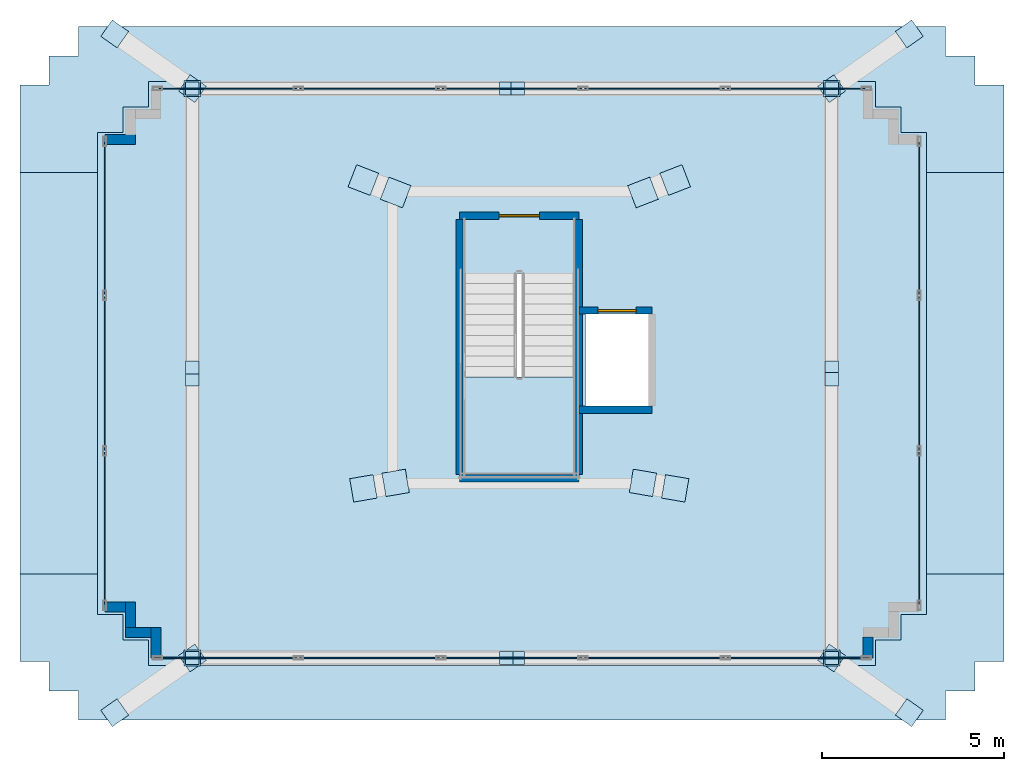
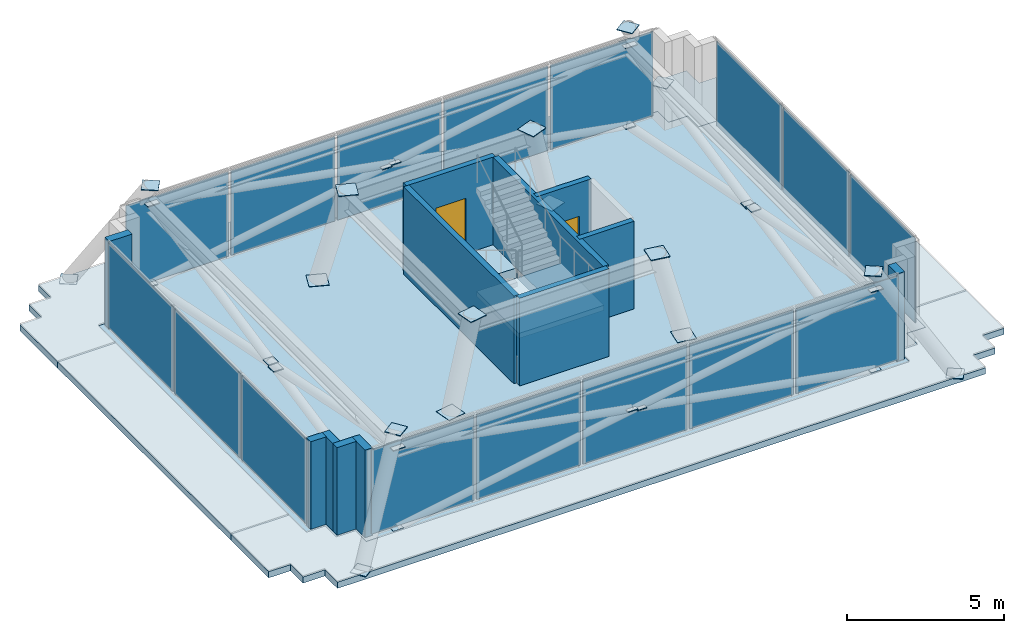
# One storey, part 5 of 8: 48 plates, 12 walls, 6 slabs, 2 doors, 2 openings, 5 elements without a shape of their own.
"""IFC4 building model written with IfcOpenShell, lengths in metres."""

from ifc_helpers import new_model, si_unit, direction, frame, frame_2d, origin, origin_2d, place, context, subcontext, project, spatial, polyline, rectangle, outline, extrude, material, layer, layer_set, type_object, element, fill, aggregate, save


model = new_model("IFC4")

# Units and contexts
model_context = context("Model", 3, precision=1e-05, world=origin(), true_north=direction((0.0, 1.0)))
body_context = subcontext(model_context, "Body", "Model", "MODEL_VIEW")
ifc_project = project(units=[si_unit("LENGTHUNIT", "METRE"), si_unit("AREAUNIT", "SQUARE_METRE"), si_unit("VOLUMEUNIT", "CUBIC_METRE"), si_unit("PLANEANGLEUNIT", "RADIAN"), si_unit("MASSUNIT", "GRAM", prefix="KILO")], contexts=[model_context])

# Site, building, storey
site_placement = place(None, origin())
site = spatial("IfcSite", under=ifc_project, at=site_placement, CompositionType="ELEMENT")
building_placement = place(site_placement, origin())
building = spatial("IfcBuilding", under=site, at=building_placement, Name="Qobustan Lattice House", CompositionType="ELEMENT")
storey_placement = place(building_placement, frame((0.0, 0.0, 289.199951171875)))
storey = spatial("IfcBuildingStorey", under=building, at=storey_placement, Name="L81", CompositionType="ELEMENT", Elevation=289.199951171875)

# Curtain wall, plates
ifc_material_1 = material(Name="Anodised aluminium and low-E glazing", Category="aluminium")
ifc_layer_1 = layer(ifc_material_1, 0.219970703125)
ifc_layer_set_1 = layer_set([ifc_layer_1], Name="Anodised aluminium and low-E glazing")
curtain_wall_type = type_object("IfcCurtainWallType", Name="CW-CRN-01", PredefinedType="USERDEFINED", material=ifc_layer_set_1)
curtain_wall_1_placement = place(storey_placement, origin())
curtain_wall_1 = element("IfcCurtainWall", 1, at=curtain_wall_1_placement, inside=storey, type_object=curtain_wall_type, Name="L81 glass-point crown faceted curtain wall 5", ObjectType="CURTAIN WALL", PredefinedType="USERDEFINED")
ifc_material_2 = material(Name="Warm frit stone-toned laminated glass", Category="masonry")
ifc_layer_2 = layer(ifc_material_2, 0.035888671875)
ifc_layer_set_2 = layer_set([ifc_layer_2], Name="Warm frit stone-toned laminated glass")
plate_type_1 = type_object("IfcPlateType", Name="CWP-CROWN-36", PredefinedType="CURTAIN_PANEL", material=ifc_layer_set_2)
plate_1_placement = place(storey_placement, frame((-11.366455078125, -5.849853515625, 0.06494140625), z_axis=(0.0, 0.0, 1.0), x_axis=(0.0, 1.0, 0.0)))
plate_1 = element("IfcPlate", 2, at=plate_1_placement, type_object=plate_type_1, Name="CW-CR panel 1.1", PredefinedType="CURTAIN_PANEL", context=body_context, shape_type="SweptSolid", body=[
    extrude(rectangle(XDim=4.137451171875, YDim=0.031982421875, at=origin_2d()), origin(), (0.0, 0.0, 1.0), 3.27001953125),
])
plate_2_placement = place(storey_placement, frame((-11.366455078125, -1.60009765625, 0.06494140625), z_axis=(0.0, 0.0, 1.0), x_axis=(0.0, 1.0, 0.0)))
plate_2 = element("IfcPlate", 3, at=plate_2_placement, type_object=plate_type_1, Name="CW-CR panel 2.1", PredefinedType="CURTAIN_PANEL", context=body_context, shape_type="SweptSolid", body=[
    extrude(rectangle(XDim=4.182373046875, YDim=0.031982421875, at=origin_2d()), origin(), (0.0, 0.0, 1.0), 3.27001953125),
])
plate_3_placement = place(storey_placement, frame((-11.366455078125, 2.64990234375, 0.06494140625), z_axis=(0.0, 0.0, 1.0), x_axis=(0.0, 1.0, 0.0)))
plate_3 = element("IfcPlate", 4, at=plate_3_placement, type_object=plate_type_1, Name="CW-CR panel 3.1", PredefinedType="CURTAIN_PANEL", context=body_context, shape_type="SweptSolid", body=[
    extrude(rectangle(XDim=4.137451171875, YDim=0.031982421875, at=origin_2d()), origin(), (0.0, 0.0, 1.0), 3.27001953125),
])
aggregate(curtain_wall_1, [plate_1, plate_2, plate_3])

curtain_wall_2_placement = place(storey_placement, origin())
curtain_wall_2 = element("IfcCurtainWall", 5, at=curtain_wall_2_placement, inside=storey, type_object=curtain_wall_type, Name="L81 glass-point crown faceted curtain wall 10", ObjectType="CURTAIN WALL", PredefinedType="USERDEFINED")
plate_4_placement = place(storey_placement, frame((-7.99072265625, 6.20849609375, 0.06494140625), z_axis=(0.0, 0.0, 1.0), x_axis=(1.0, 0.0, 0.0)))
plate_4 = element("IfcPlate", 6, at=plate_4_placement, type_object=plate_type_1, Name="CW-CR panel 1.1", PredefinedType="CURTAIN_PANEL", context=body_context, shape_type="SweptSolid", body=[
    extrude(rectangle(XDim=3.771484375, YDim=0.031982421875, at=origin_2d()), origin(), (0.0, 0.0, 1.0), 3.27001953125),
])
plate_5_placement = place(storey_placement, frame((-4.106689453125, 6.20849609375, 0.06494140625), z_axis=(0.0, 0.0, 1.0), x_axis=(1.0, 0.0, 0.0)))
plate_5 = element("IfcPlate", 7, at=plate_5_placement, type_object=plate_type_1, Name="CW-CR panel 2.1", PredefinedType="CURTAIN_PANEL", context=body_context, shape_type="SweptSolid", body=[
    extrude(rectangle(XDim=3.816650390625, YDim=0.031982421875, at=origin_2d()), origin(), (0.0, 0.0, 1.0), 3.27001953125),
])
plate_6_placement = place(storey_placement, frame((-0.199951171875, 6.20849609375, 0.06494140625), z_axis=(0.0, 0.0, 1.0), x_axis=(1.0, 0.0, 0.0)))
plate_6 = element("IfcPlate", 8, at=plate_6_placement, type_object=plate_type_1, Name="CW-CR panel 3.1", PredefinedType="CURTAIN_PANEL", context=body_context, shape_type="SweptSolid", body=[
    extrude(rectangle(XDim=3.816650390625, YDim=0.031982421875, at=origin_2d()), origin(), (0.0, 0.0, 1.0), 3.27001953125),
])
plate_7_placement = place(storey_placement, frame((3.70654296875, 6.20849609375, 0.06494140625), z_axis=(0.0, 0.0, 1.0), x_axis=(1.0, 0.0, 0.0)))
plate_7 = element("IfcPlate", 9, at=plate_7_placement, type_object=plate_type_1, Name="CW-CR panel 4.1", PredefinedType="CURTAIN_PANEL", context=body_context, shape_type="SweptSolid", body=[
    extrude(rectangle(XDim=3.816650390625, YDim=0.031982421875, at=origin_2d()), origin(), (0.0, 0.0, 1.0), 3.27001953125),
])
plate_8_placement = place(storey_placement, frame((7.5908203125, 6.20849609375, 0.06494140625), z_axis=(0.0, 0.0, 1.0), x_axis=(1.0, 0.0, 0.0)))
plate_8 = element("IfcPlate", 10, at=plate_8_placement, type_object=plate_type_1, Name="CW-CR panel 5.1", PredefinedType="CURTAIN_PANEL", context=body_context, shape_type="SweptSolid", body=[
    extrude(rectangle(XDim=3.771484375, YDim=0.031982421875, at=origin_2d()), origin(), (0.0, 0.0, 1.0), 3.27001953125),
])
aggregate(curtain_wall_2, [plate_4, plate_5, plate_6, plate_7, plate_8])

curtain_wall_3_placement = place(storey_placement, origin())
curtain_wall_3 = element("IfcCurtainWall", 11, at=curtain_wall_3_placement, inside=storey, type_object=curtain_wall_type, Name="L81 glass-point crown faceted curtain wall 15", ObjectType="CURTAIN WALL", PredefinedType="USERDEFINED")
plate_9_placement = place(storey_placement, frame((10.966552734375, 2.64990234375, 0.06494140625), z_axis=(0.0, 0.0, 1.0), x_axis=(0.0, -1.0, 0.0)))
plate_9 = element("IfcPlate", 12, at=plate_9_placement, type_object=plate_type_1, Name="CW-CR panel 1.1", PredefinedType="CURTAIN_PANEL", context=body_context, shape_type="SweptSolid", body=[
    extrude(rectangle(XDim=4.137451171875, YDim=0.031982421875, at=origin_2d()), origin(), (0.0, 0.0, 1.0), 3.27001953125),
])
plate_10_placement = place(storey_placement, frame((10.966552734375, -1.60009765625, 0.06494140625), z_axis=(0.0, 0.0, 1.0), x_axis=(0.0, -1.0, 0.0)))
plate_10 = element("IfcPlate", 13, at=plate_10_placement, type_object=plate_type_1, Name="CW-CR panel 2.1", PredefinedType="CURTAIN_PANEL", context=body_context, shape_type="SweptSolid", body=[
    extrude(rectangle(XDim=4.182373046875, YDim=0.031982421875, at=origin_2d()), origin(), (0.0, 0.0, 1.0), 3.27001953125),
])
plate_11_placement = place(storey_placement, frame((10.966552734375, -5.849853515625, 0.06494140625), z_axis=(0.0, 0.0, 1.0), x_axis=(0.0, -1.0, 0.0)))
plate_11 = element("IfcPlate", 14, at=plate_11_placement, type_object=plate_type_1, Name="CW-CR panel 3.1", PredefinedType="CURTAIN_PANEL", context=body_context, shape_type="SweptSolid", body=[
    extrude(rectangle(XDim=4.137451171875, YDim=0.031982421875, at=origin_2d()), origin(), (0.0, 0.0, 1.0), 3.27001953125),
])
aggregate(curtain_wall_3, [plate_9, plate_10, plate_11])

curtain_wall_4_placement = place(storey_placement, origin())
curtain_wall_4 = element("IfcCurtainWall", 15, at=curtain_wall_4_placement, inside=storey, type_object=curtain_wall_type, Name="L81 glass-point crown faceted curtain wall 20", ObjectType="CURTAIN WALL", PredefinedType="USERDEFINED")
plate_12_placement = place(storey_placement, frame((7.5908203125, -9.408447265625, 0.06494140625), z_axis=(0.0, 0.0, 1.0), x_axis=(-1.0, 0.0, 0.0)))
plate_12 = element("IfcPlate", 16, at=plate_12_placement, type_object=plate_type_1, Name="CW-CR panel 1.1", PredefinedType="CURTAIN_PANEL", context=body_context, shape_type="SweptSolid", body=[
    extrude(rectangle(XDim=3.771484375, YDim=0.031982421875, at=origin_2d()), origin(), (0.0, 0.0, 1.0), 3.27001953125),
])
plate_13_placement = place(storey_placement, frame((3.70654296875, -9.408447265625, 0.06494140625), z_axis=(0.0, 0.0, 1.0), x_axis=(-1.0, 0.0, 0.0)))
plate_13 = element("IfcPlate", 17, at=plate_13_placement, type_object=plate_type_1, Name="CW-CR panel 2.1", PredefinedType="CURTAIN_PANEL", context=body_context, shape_type="SweptSolid", body=[
    extrude(rectangle(XDim=3.816650390625, YDim=0.031982421875, at=origin_2d()), origin(), (0.0, 0.0, 1.0), 3.27001953125),
])
plate_14_placement = place(storey_placement, frame((-0.199951171875, -9.408447265625, 0.06494140625), z_axis=(0.0, 0.0, 1.0), x_axis=(-1.0, 0.0, 0.0)))
plate_14 = element("IfcPlate", 18, at=plate_14_placement, type_object=plate_type_1, Name="CW-CR panel 3.1", PredefinedType="CURTAIN_PANEL", context=body_context, shape_type="SweptSolid", body=[
    extrude(rectangle(XDim=3.816650390625, YDim=0.031982421875, at=origin_2d()), origin(), (0.0, 0.0, 1.0), 3.27001953125),
])
plate_15_placement = place(storey_placement, frame((-4.106689453125, -9.408447265625, 0.06494140625), z_axis=(0.0, 0.0, 1.0), x_axis=(-1.0, 0.0, 0.0)))
plate_15 = element("IfcPlate", 19, at=plate_15_placement, type_object=plate_type_1, Name="CW-CR panel 4.1", PredefinedType="CURTAIN_PANEL", context=body_context, shape_type="SweptSolid", body=[
    extrude(rectangle(XDim=3.816650390625, YDim=0.031982421875, at=origin_2d()), origin(), (0.0, 0.0, 1.0), 3.27001953125),
])
plate_16_placement = place(storey_placement, frame((-7.99072265625, -9.408447265625, 0.06494140625), z_axis=(0.0, 0.0, 1.0), x_axis=(-1.0, 0.0, 0.0)))
plate_16 = element("IfcPlate", 20, at=plate_16_placement, type_object=plate_type_1, Name="CW-CR panel 5.1", PredefinedType="CURTAIN_PANEL", context=body_context, shape_type="SweptSolid", body=[
    extrude(rectangle(XDim=3.771484375, YDim=0.031982421875, at=origin_2d()), origin(), (0.0, 0.0, 1.0), 3.27001953125),
])
aggregate(curtain_wall_4, [plate_12, plate_13, plate_14, plate_15, plate_16])

# Plates
ifc_material_3 = material(Name="Steel S355", Category="steel")
ifc_layer_3 = layer(ifc_material_3, 0.030029296875)
ifc_layer_set_3 = layer_set([ifc_layer_3], Name="Steel S355")
plate_type_2 = type_object("IfcPlateType", Name="PLT-CAP-25", PredefinedType="SHEET", material=ifc_layer_set_3)
for number, where, z_axis, x_axis, name in (
    (21, (-4.275390625, -4.755859375, -0.01953125), (0.0, 0.0, 1.0), (0.985606262685, 0.16905707603, 0.0), "L81 crown spire leg SL1 end cap plate 1"),
    (22, (-3.391357421875, -4.604248046875, 3.3896484375), (0.0, 0.0, 1.0), (0.985606262685, 0.16905707603, 0.0), "L81 crown spire leg SL1 end cap plate 2"),
    (23, (4.275390625, -4.755859375, -0.01953125), (0.0, 0.0, 1.0), (-0.985606262685, 0.16905707603, 0.0), "L81 crown spire leg SL2 end cap plate 1"),
    (24, (3.391357421875, -4.604248046875, 3.3896484375), (0.0, 0.0, 1.0), (-0.985606262685, 0.16905707603, 0.0), "L81 crown spire leg SL2 end cap plate 2"),
    (25, (4.275390625, 3.700439453125, -0.01953125), (0.0, 0.0, 1.0), (-0.933003790768, -0.359866539724, 0.0), "L81 crown spire leg SL3 end cap plate 1"),
    (26, (3.391357421875, 3.359619140625, 3.3896484375), (0.0, 0.0, 1.0), (-0.933003790768, -0.359866539724, 0.0), "L81 crown spire leg SL3 end cap plate 2"),
    (27, (-4.275390625, 3.700439453125, -0.01953125), (0.0, 0.0, 1.0), (0.933003790768, -0.359866539724, 0.0), "L81 crown spire leg SL4 end cap plate 1"),
    (28, (-3.391357421875, 3.359619140625, 3.3896484375), (0.0, 0.0, 1.0), (0.933003790768, -0.359866539724, 0.0), "L81 crown spire leg SL4 end cap plate 2"),
):
    element("IfcPlate", number, at=place(storey_placement, frame(where, z_axis=z_axis, x_axis=x_axis)), inside=storey, type_object=plate_type_2, Name=name, PredefinedType="SHEET", context=body_context, shape_type="SweptSolid", body=[
        extrude(rectangle(XDim=0.64990234375, YDim=0.64990234375, at=origin_2d()), origin(), (0.0, 0.0, 1.0), 0.030029296875),
    ])
for number, where, z_axis, x_axis, name in (
    (29, (-11.095703125, -10.908203125, -0.01904296875), (0.0, 0.0, 1.0), (0.817587325581, 0.575804624026, 0.0), "L81 crown corner raking strut 1 end cap plate 1"),
    (30, (-8.964111328125, -9.406982421875, 3.7890625), (0.0, 0.0, 1.0), (0.817587325581, 0.575804624026, 0.0), "L81 crown corner raking strut 1 end cap plate 2"),
    (31, (10.69580078125, -10.908203125, -0.01904296875), (0.0, 0.0, 1.0), (-0.817587325581, 0.575804624026, 0.0), "L81 crown corner raking strut 2 end cap plate 1"),
    (32, (8.564208984375, -9.406982421875, 3.7890625), (0.0, 0.0, 1.0), (-0.817587325581, 0.575804624026, 0.0), "L81 crown corner raking strut 2 end cap plate 2"),
    (33, (10.69580078125, 7.7080078125, -0.01904296875), (0.0, 0.0, 1.0), (-0.817587325581, -0.575804624026, 0.0), "L81 crown corner raking strut 3 end cap plate 1"),
    (34, (8.564208984375, 6.206787109375, 3.7890625), (0.0, 0.0, 1.0), (-0.817587325581, -0.575804624026, 0.0), "L81 crown corner raking strut 3 end cap plate 2"),
    (35, (-11.095703125, 7.7080078125, -0.01904296875), (0.0, 0.0, 1.0), (0.817587325581, -0.575804624026, 0.0), "L81 crown corner raking strut 4 end cap plate 1"),
    (36, (-8.964111328125, 6.206787109375, 3.7890625), (0.0, 0.0, 1.0), (0.817587325581, -0.575804624026, 0.0), "L81 crown corner raking strut 4 end cap plate 2"),
):
    element("IfcPlate", number, at=place(storey_placement, frame(where, z_axis=z_axis, x_axis=x_axis)), inside=storey, type_object=plate_type_2, Name=name, PredefinedType="SHEET", context=body_context, shape_type="SweptSolid", body=[
        extrude(rectangle(XDim=0.548095703125, YDim=0.548095703125, at=origin_2d()), origin(), (0.0, 0.0, 1.0), 0.030029296875),
    ])
for number, where, z_axis, x_axis, name in (
    (37, (-8.971435546875, -9.408447265625, 3.1650390625), (0.0, 0.0, 1.0), (1.0, 0.0, 0.0), "L81 crown ring chord 1 end cap plate 1"),
    (38, (8.571533203125, -9.408447265625, 3.1650390625), (0.0, 0.0, 1.0), (1.0, 0.0, 0.0), "L81 crown ring chord 1 end cap plate 2"),
):
    element("IfcPlate", number, at=place(storey_placement, frame(where, z_axis=z_axis, x_axis=x_axis)), inside=storey, type_object=plate_type_2, Name=name, PredefinedType="SHEET", context=body_context, shape_type="SweptSolid", body=[
        extrude(rectangle(XDim=0.4462890625, YDim=0.4462890625, at=origin_2d()), origin(), (0.0, 0.0, 1.0), 0.030029296875),
    ])
for number, where, z_axis, x_axis, name in (
    (39, (-8.971435546875, -9.408447265625, -0.0009765625), (0.0, 0.0, 1.0), (1.0, 0.0, 0.0), "L81 crown diagrid continuous brace 1A end cap plate 1"),
    (40, (8.5712890625, -9.408447265625, -0.0009765625), (0.0, 0.0, 1.0), (-1.0, 0.0, 0.0), "L81 crown diagrid split brace 1B lower end cap plate 1"),
    (41, (-0.03955078125, -9.408447265625, 1.5537109375), (0.0, 0.0, 1.0), (-1.0, 0.0, 0.0), "L81 crown diagrid split brace 1B lower end cap plate 2"),
    (42, (-0.3603515625, -9.408447265625, 1.611328125), (0.0, 0.0, 1.0), (-1.0, 0.0, 0.0), "L81 crown diagrid split brace 1B upper end cap plate 1"),
):
    element("IfcPlate", number, at=place(storey_placement, frame(where, z_axis=z_axis, x_axis=x_axis)), inside=storey, type_object=plate_type_2, Name=name, PredefinedType="SHEET", context=body_context, shape_type="SweptSolid", body=[
        extrude(rectangle(XDim=0.364013671875, YDim=0.364013671875, at=origin_2d()), origin(), (0.0, 0.0, 1.0), 0.030029296875),
    ])
plate_17_placement = place(storey_placement, frame((8.56640625, 6.21337890625, 3.1650390625), z_axis=(0.0, 0.0, 1.0), x_axis=(0.0, 1.0, 0.0)))
element("IfcPlate", 43, at=plate_17_placement, inside=storey, type_object=plate_type_2, Name="L81 crown ring chord 2 end cap plate 2", PredefinedType="SHEET", context=body_context, shape_type="SweptSolid", body=[
    extrude(rectangle(XDim=0.4462890625, YDim=0.4462890625, at=origin_2d()), origin(), (0.0, 0.0, 1.0), 0.030029296875),
])
for number, where, z_axis, x_axis, name in (
    (44, (8.56640625, 6.21337890625, -0.0009765625), (0.0, 0.0, 1.0), (0.0, -1.0, 0.0), "L81 crown diagrid split brace 2B lower end cap plate 1"),
    (45, (8.56640625, -1.440185546875, 1.55029296875), (0.0, 0.0, 1.0), (0.0, -1.0, 0.0), "L81 crown diagrid split brace 2B lower end cap plate 2"),
    (46, (8.56640625, -1.759765625, 1.61474609375), (0.0, 0.0, 1.0), (0.0, -1.0, 0.0), "L81 crown diagrid split brace 2B upper end cap plate 1"),
):
    element("IfcPlate", number, at=place(storey_placement, frame(where, z_axis=z_axis, x_axis=x_axis)), inside=storey, type_object=plate_type_2, Name=name, PredefinedType="SHEET", context=body_context, shape_type="SweptSolid", body=[
        extrude(rectangle(XDim=0.364013671875, YDim=0.364013671875, at=origin_2d()), origin(), (0.0, 0.0, 1.0), 0.030029296875),
    ])
plate_18_placement = place(storey_placement, frame((-8.971435546875, 6.20849609375, 3.1650390625), z_axis=(0.0, 0.0, 1.0), x_axis=(-1.0, 0.0, 0.0)))
element("IfcPlate", 47, at=plate_18_placement, inside=storey, type_object=plate_type_2, Name="L81 crown ring chord 3 end cap plate 2", PredefinedType="SHEET", context=body_context, shape_type="SweptSolid", body=[
    extrude(rectangle(XDim=0.4462890625, YDim=0.4462890625, at=origin_2d()), origin(), (0.0, 0.0, 1.0), 0.030029296875),
])
for number, where, z_axis, x_axis, name in (
    (48, (-8.971435546875, 6.20849609375, -0.0009765625), (0.0, 0.0, 1.0), (1.0, 0.0, 0.0), "L81 crown diagrid split brace 3B lower end cap plate 1"),
    (49, (-0.3603515625, 6.20849609375, 1.5537109375), (0.0, 0.0, 1.0), (1.0, 0.0, 0.0), "L81 crown diagrid split brace 3B lower end cap plate 2"),
    (50, (-0.03955078125, 6.20849609375, 1.611328125), (0.0, 0.0, 1.0), (1.0, 0.0, 0.0), "L81 crown diagrid split brace 3B upper end cap plate 1"),
    (51, (-8.966552734375, -1.759765625, 1.55029296875), (0.0, 0.0, 1.0), (0.0, 1.0, 0.0), "L81 crown diagrid split brace 4B lower end cap plate 2"),
    (52, (-8.966552734375, -1.440185546875, 1.61474609375), (0.0, 0.0, 1.0), (0.0, 1.0, 0.0), "L81 crown diagrid split brace 4B upper end cap plate 1"),
):
    element("IfcPlate", number, at=place(storey_placement, frame(where, z_axis=z_axis, x_axis=x_axis)), inside=storey, type_object=plate_type_2, Name=name, PredefinedType="SHEET", context=body_context, shape_type="SweptSolid", body=[
        extrude(rectangle(XDim=0.364013671875, YDim=0.364013671875, at=origin_2d()), origin(), (0.0, 0.0, 1.0), 0.030029296875),
    ])

# Stair, slab
ifc_material_4 = material(Name="Concrete C40/50", Category="concrete")
stair_type = type_object("IfcStairType", Name="STR-CORE-DOGLEG", PredefinedType="HALF_TURN_STAIR", material=ifc_material_4)
stair_placement = place(storey_placement, origin())
stair = element("IfcStair", 53, at=stair_placement, inside=storey, type_object=stair_type, Name="L81 Crown access stair ST-C1", PredefinedType="HALF_TURN_STAIR")
ifc_material_5 = material(Name="Concrete C40/50", Category="concrete")
ifc_layer_4 = layer(ifc_material_5, 0.199951171875)
ifc_layer_set_4 = layer_set([ifc_layer_4], Name="Concrete C40/50")
slab_type_1 = type_object("IfcSlabType", Name="SLB-LANDING-200", PredefinedType="LANDING", material=ifc_layer_set_4)
slab_1_placement = place(storey_placement, frame((0.0, 0.0, 1.699951171875)))
slab_1 = element("IfcSlab", 54, at=slab_1_placement, type_object=slab_type_1, Name="ST-C1 landing 1", PredefinedType="LANDING", context=body_context, shape_type="SweptSolid", body=[
    extrude(outline(polyline([(-1.56005859375, -1.699951171875), (-1.56005859375, -4.39990234375), (1.56005859375, -4.39990234375), (1.56005859375, -1.699951171875), (-1.56005859375, -1.699951171875)])), origin(), (0.0, 0.0, 1.0), 0.2001953125),
])
aggregate(stair, [slab_1])

# Slabs
ifc_material_6 = material(Name="Concrete C50/60", Category="concrete")
ifc_layer_5 = layer(ifc_material_6, 0.39990234375)
ifc_layer_set_5 = layer_set([ifc_layer_5], Name="Concrete C50/60")
slab_type_2 = type_object("IfcSlabType", Name="SLB-PLANT-DECK-400", PredefinedType="USERDEFINED", material=ifc_layer_set_5)
slab_2_placement = place(storey_placement, frame((0.0, 0.0, -0.39990234375)))
element("IfcSlab", 55, at=slab_2_placement, inside=storey, type_object=slab_type_2, Name="L81 crown mechanical plant deck", ObjectType="PLANT DECK", PredefinedType="USERDEFINED", context=body_context, shape_type="SweptSolid", body=[
    extrude(outline(polyline([(-10.16650390625, -9.6083984375), (9.7666015625, -9.6083984375), (9.7666015625, -8.908447265625), (10.466552734375, -8.908447265625), (10.466552734375, -8.20849609375), (11.16650390625, -8.20849609375), (11.16650390625, 5.008544921875), (10.466552734375, 5.008544921875), (10.466552734375, 5.70849609375), (9.7666015625, 5.70849609375), (9.7666015625, 6.408447265625), (-10.16650390625, 6.408447265625), (-10.16650390625, 5.70849609375), (-10.866455078125, 5.70849609375), (-10.866455078125, 5.008544921875), (-11.56640625, 5.008544921875), (-11.56640625, -8.20849609375), (-10.866455078125, -8.20849609375), (-10.866455078125, -8.908447265625), (-10.16650390625, -8.908447265625), (-10.16650390625, -9.6083984375)]), holes=[polyline([(-1.56005859375, -4.39990234375), (-1.56005859375, 1.139892578125), (1.56005859375, 1.139892578125), (1.56005859375, -4.39990234375), (-1.56005859375, -4.39990234375)]), polyline([(1.820068359375, -2.5), (1.820068359375, 0.02001953125), (3.5400390625, 0.02001953125), (3.5400390625, -2.5), (1.820068359375, -2.5)])]), origin(), (0.0, 0.0, 1.0), 0.39990234375),
])
ifc_material_7 = material(Name="Concrete C40/50", Category="concrete")
ifc_layer_6 = layer(ifc_material_7, 0.239990234375)
ifc_layer_set_6 = layer_set([ifc_layer_6], Name="Concrete C40/50")
slab_type_3 = type_object("IfcSlabType", Name="SLB-ROOF-240", PredefinedType="ROOF", material=ifc_layer_set_6)
slab_3_placement = place(storey_placement, frame((0.0, 0.0, -0.239990234375)))
element("IfcSlab", 56, at=slab_3_placement, inside=storey, type_object=slab_type_3, Name="L81 crown step-in roof slab S1", PredefinedType="ROOF", context=body_context, shape_type="SweptSolid", body=[
    extrude(outline(polyline([(-12.093505859375, -10.306396484375), (-12.093505859375, -11.1064453125), (11.693603515625, -11.1064453125), (11.693603515625, -10.306396484375), (12.493408203125, -10.306396484375), (12.493408203125, -9.506591796875), (13.29345703125, -9.506591796875), (13.29345703125, -7.1083984375), (11.16650390625, -7.1083984375), (11.16650390625, -8.20849609375), (10.466552734375, -8.20849609375), (10.466552734375, -8.908447265625), (9.7666015625, -8.908447265625), (9.7666015625, -9.6083984375), (-10.16650390625, -9.6083984375), (-10.16650390625, -8.908447265625), (-10.866455078125, -8.908447265625), (-10.866455078125, -8.20849609375), (-11.56640625, -8.20849609375), (-11.56640625, -7.1083984375), (-13.693603515625, -7.1083984375), (-13.693603515625, -9.506591796875), (-12.8935546875, -9.506591796875), (-12.8935546875, -10.306396484375), (-12.093505859375, -10.306396484375)])), origin(), (0.0, 0.0, 1.0), 0.239990234375),
])
slab_4_placement = place(storey_placement, frame((0.0, 0.0, -0.239990234375)))
element("IfcSlab", 57, at=slab_4_placement, inside=storey, type_object=slab_type_3, Name="L81 crown step-in roof slab N1", PredefinedType="ROOF", context=body_context, shape_type="SweptSolid", body=[
    extrude(outline(polyline([(-13.693603515625, 3.908447265625), (-11.56640625, 3.908447265625), (-11.56640625, 5.008544921875), (-10.866455078125, 5.008544921875), (-10.866455078125, 5.70849609375), (-10.16650390625, 5.70849609375), (-10.16650390625, 6.408447265625), (9.7666015625, 6.408447265625), (9.7666015625, 5.70849609375), (10.466552734375, 5.70849609375), (10.466552734375, 5.008544921875), (11.16650390625, 5.008544921875), (11.16650390625, 3.908447265625), (13.29345703125, 3.908447265625), (13.29345703125, 6.306396484375), (12.493408203125, 6.306396484375), (12.493408203125, 7.1064453125), (11.693603515625, 7.1064453125), (11.693603515625, 7.906494140625), (-12.093505859375, 7.906494140625), (-12.093505859375, 7.1064453125), (-12.8935546875, 7.1064453125), (-12.8935546875, 6.306396484375), (-13.693603515625, 6.306396484375), (-13.693603515625, 3.908447265625)])), origin(), (0.0, 0.0, 1.0), 0.239990234375),
])
slab_5_placement = place(storey_placement, frame((0.0, 0.0, -0.239990234375)))
element("IfcSlab", 58, at=slab_5_placement, inside=storey, type_object=slab_type_3, Name="L81 crown step-in roof slab W1", PredefinedType="ROOF", context=body_context, shape_type="SweptSolid", body=[
    extrude(outline(polyline([(-13.693603515625, -7.1083984375), (-11.56640625, -7.1083984375), (-11.56640625, 3.908447265625), (-13.693603515625, 3.908447265625), (-13.693603515625, -7.1083984375)])), origin(), (0.0, 0.0, 1.0), 0.239990234375),
])
slab_6_placement = place(storey_placement, frame((0.0, 0.0, -0.239990234375)))
element("IfcSlab", 59, at=slab_6_placement, inside=storey, type_object=slab_type_3, Name="L81 crown step-in roof slab E1", PredefinedType="ROOF", context=body_context, shape_type="SweptSolid", body=[
    extrude(outline(polyline([(13.29345703125, 3.908447265625), (11.16650390625, 3.908447265625), (11.16650390625, -7.1083984375), (13.29345703125, -7.1083984375), (13.29345703125, 3.908447265625)])), origin(), (0.0, 0.0, 1.0), 0.239990234375),
])

# Walls
ifc_material_8 = material(Name="Precast concrete C40/50", Category="concrete")
ifc_layer_7 = layer(ifc_material_8, 0.280029296875)
ifc_layer_set_7 = layer_set([ifc_layer_7], Name="Precast concrete C40/50")
wall_type_1 = type_object("IfcWallType", Name="WAL-EXT-CROWN-280", PredefinedType="SOLIDWALL", material=ifc_layer_set_7)
wall_1_placement = place(storey_placement, frame((-9.966552734375, -9.408447265625, 0.0), z_axis=(0.0, 0.0, 1.0), x_axis=(0.0, 1.0, 0.0)))
element("IfcWall", 60, at=wall_1_placement, inside=storey, type_object=wall_type_1, Name="L81 crown faceted limestone wall 1", PredefinedType="SOLIDWALL", context=body_context, shape_type="SweptSolid", body=[
    extrude(rectangle(XDim=0.83984375, YDim=0.280029296875, at=frame_2d((0.419921875, 0.0))), origin(), (0.0, 0.0, 1.0), 3.400146484375),
])
wall_2_placement = place(storey_placement, frame((-10.094482421875, -8.70849609375, 0.0), z_axis=(0.0, 0.0, 1.0), x_axis=(-1.0, 0.0, 0.0)))
element("IfcWall", 61, at=wall_2_placement, inside=storey, type_object=wall_type_1, Name="L81 crown faceted limestone wall 2", PredefinedType="SOLIDWALL", context=body_context, shape_type="SweptSolid", body=[
    extrude(rectangle(XDim=0.7119140625, YDim=0.280029296875, at=frame_2d((0.35595703125, 0.0))), origin(), (0.0, 0.0, 1.0), 3.400146484375),
])
wall_3_placement = place(storey_placement, frame((-10.66650390625, -8.58056640625, 0.0), z_axis=(0.0, 0.0, 1.0), x_axis=(0.0, 1.0, 0.0)))
element("IfcWall", 62, at=wall_3_placement, inside=storey, type_object=wall_type_1, Name="L81 crown faceted limestone wall 3", PredefinedType="SOLIDWALL", context=body_context, shape_type="SweptSolid", body=[
    extrude(rectangle(XDim=0.712158203125, YDim=0.280029296875, at=frame_2d((0.35595703125, 0.0))), origin(), (0.0, 0.0, 1.0), 3.400146484375),
])
wall_4_placement = place(storey_placement, frame((-10.79443359375, -8.008544921875, 0.0), z_axis=(0.0, 0.0, 1.0), x_axis=(-1.0, 0.0, 0.0)))
element("IfcWall", 63, at=wall_4_placement, inside=storey, type_object=wall_type_1, Name="L81 crown faceted limestone wall 4", PredefinedType="SOLIDWALL", context=body_context, shape_type="SweptSolid", body=[
    extrude(rectangle(XDim=0.572021484375, YDim=0.280029296875, at=frame_2d((0.2861328125, 0.0))), origin(), (0.0, 0.0, 1.0), 3.400146484375),
])
wall_5_placement = place(storey_placement, frame((-11.366455078125, 4.80859375, 0.0), z_axis=(0.0, 0.0, 1.0), x_axis=(1.0, 0.0, 0.0)))
element("IfcWall", 64, at=wall_5_placement, inside=storey, type_object=wall_type_1, Name="L81 crown faceted limestone wall 6", PredefinedType="SOLIDWALL", context=body_context, shape_type="SweptSolid", body=[
    extrude(rectangle(XDim=0.83984375, YDim=0.280029296875, at=frame_2d((0.419921875, 0.0))), origin(), (0.0, 0.0, 1.0), 3.400146484375),
])
wall_6_placement = place(storey_placement, frame((9.56640625, -8.83642578125, 0.0), z_axis=(0.0, 0.0, 1.0), x_axis=(0.0, -1.0, 0.0)))
element("IfcWall", 65, at=wall_6_placement, inside=storey, type_object=wall_type_1, Name="L81 crown faceted limestone wall 19", PredefinedType="SOLIDWALL", context=body_context, shape_type="SweptSolid", body=[
    extrude(rectangle(XDim=0.572021484375, YDim=0.280029296875, at=frame_2d((0.2861328125, 0.0))), origin(), (0.0, 0.0, 1.0), 3.400146484375),
])

# Wall, opening, door
ifc_material_9 = material(Name="Concrete C40/50", Category="concrete")
ifc_layer_8 = layer(ifc_material_9, 0.199951171875)
ifc_layer_set_8 = layer_set([ifc_layer_8], Name="Concrete C40/50")
wall_type_2 = type_object("IfcWallType", Name="WAL-SHAFT-LB-200", PredefinedType="SHEAR", material=ifc_layer_set_8)
wall_7_placement = place(storey_placement, frame((-1.639892578125, 2.719970703125, 0.0), z_axis=(0.0, 0.0, 1.0), x_axis=(1.0, 0.0, 0.0)))
wall_7 = element("IfcWall", 66, at=wall_7_placement, inside=storey, type_object=wall_type_2, Name="L81 crown stair ST-C1 RC shaft wall STC-N", PredefinedType="SHEAR", context=body_context, shape_type="SweptSolid", body=[
    extrude(rectangle(XDim=3.27978515625, YDim=0.199951171875, at=frame_2d((1.639892578125, 0.0))), origin(), (0.0, 0.0, 1.0), 3.400146484375),
])
opening_1_placement = place(wall_7_placement, frame((1.090087890625, 0.0, 0.0)))
opening_1 = element("IfcOpeningElement", 67, at=opening_1_placement, cuts=wall_7, Name="Opening SD-01", PredefinedType="OPENING", context=body_context, shape_type="SweptSolid", body=[
    extrude(rectangle(XDim=1.10009765625, YDim=2.14990234375, at=frame_2d((0.550048828125, 1.074951171875))), frame((0.0, 0.10986328125, 0.0), z_axis=(0.0, -1.0, 0.0), x_axis=(1.0, 0.0, 0.0)), (0.0, 0.0, 1.0), 0.219970703125),
])
ifc_material_10 = material(Name="Persian walnut timber and steel frame door", Category="steel")
door_type_1 = type_object("IfcDoorType", Name="DOR-STAIR-FD-1100x2150", OperationType="NOTDEFINED", PredefinedType="DOOR", material=ifc_material_10)
door_1_placement = place(opening_1_placement, origin())
door_1 = element("IfcDoor", 68, at=door_1_placement, inside=storey, type_object=door_type_1, Name="L81 crown access stair ST-C1 fire door", OperationType="SINGLE_SWING_LEFT", OverallHeight=2.14990234375, OverallWidth=1.10009765625, PredefinedType="DOOR", context=body_context, shape_type="SweptSolid", body=[
    extrude(rectangle(XDim=1.10009765625, YDim=2.14990234375, at=frame_2d((0.550048828125, 1.074951171875))), frame((0.0, 0.02490234375, 0.0), z_axis=(0.0, -1.0, 0.0), x_axis=(1.0, 0.0, 0.0)), (0.0, 0.0, 1.0), 0.050048828125),
])
fill(opening_1, door_1)

# Walls
wall_8_placement = place(storey_placement, frame((-1.639892578125, -4.47998046875, 0.0), z_axis=(0.0, 0.0, 1.0), x_axis=(1.0, 0.0, 0.0)))
element("IfcWall", 69, at=wall_8_placement, inside=storey, type_object=wall_type_2, Name="L81 crown stair ST-C1 RC shaft wall STC-S", PredefinedType="SHEAR", context=body_context, shape_type="SweptSolid", body=[
    extrude(rectangle(XDim=3.27978515625, YDim=0.199951171875, at=frame_2d((1.639892578125, 0.0))), origin(), (0.0, 0.0, 1.0), 3.400146484375),
])
for number, where, z_axis, x_axis, name in (
    (70, (-1.639892578125, -4.3798828125, 0.0), (0.0, 0.0, 1.0), (0.0, 1.0, 0.0), "L81 crown stair ST-C1 RC shaft wall STC-W"),
    (71, (1.639892578125, -4.3798828125, 0.0), (0.0, 0.0, 1.0), (0.0, 1.0, 0.0), "L81 crown stair ST-C1 RC shaft wall STC-E"),
):
    element("IfcWall", number, at=place(storey_placement, frame(where, z_axis=z_axis, x_axis=x_axis)), inside=storey, type_object=wall_type_2, Name=name, PredefinedType="SHEAR", context=body_context, shape_type="SweptSolid", body=[
        extrude(rectangle(XDim=7.0, YDim=0.199951171875, at=frame_2d((3.5, 0.0))), origin(), (0.0, 0.0, 1.0), 3.400146484375),
    ])

# Wall, opening, door
wall_9_placement = place(storey_placement, frame((1.639892578125, 0.1201171875, 0.0), z_axis=(0.0, 0.0, 1.0), x_axis=(1.0, 0.0, 0.0)))
wall_9 = element("IfcWall", 72, at=wall_9_placement, inside=storey, type_object=wall_type_2, Name="L81 crown firefighting lift RC shaft wall FFC-N", PredefinedType="SHEAR", context=body_context, shape_type="SweptSolid", body=[
    extrude(rectangle(XDim=2.0, YDim=0.199951171875, at=frame_2d((1.0, 0.0))), origin(), (0.0, 0.0, 1.0), 3.400146484375),
])
opening_2_placement = place(wall_9_placement, frame((0.514892578125, 0.0, 0.0)))
opening_2 = element("IfcOpeningElement", 73, at=opening_2_placement, cuts=wall_9, Name="Opening LD-01", PredefinedType="OPENING", context=body_context, shape_type="SweptSolid", body=[
    extrude(rectangle(XDim=1.050048828125, YDim=2.10009765625, at=frame_2d((0.52490234375, 1.050048828125))), frame((0.0, 0.10986328125, 0.0), z_axis=(0.0, -1.0, 0.0), x_axis=(1.0, 0.0, 0.0)), (0.0, 0.0, 1.0), 0.219970703125),
])
ifc_material_11 = material(Name="Persian walnut timber and steel frame door", Category="steel")
door_type_2 = type_object("IfcDoorType", Name="DOR-LIFT-LD-1050x2100", OperationType="NOTDEFINED", PredefinedType="DOOR", material=ifc_material_11)
door_2_placement = place(opening_2_placement, origin())
door_2 = element("IfcDoor", 74, at=door_2_placement, inside=storey, type_object=door_type_2, Name="L81 crown firefighting lift FF-C landing door", OperationType="DOUBLE_DOOR_SLIDING", OverallHeight=2.10009765625, OverallWidth=1.050048828125, PredefinedType="DOOR", context=body_context, shape_type="SweptSolid", body=[
    extrude(rectangle(XDim=1.050048828125, YDim=2.10009765625, at=frame_2d((0.52490234375, 1.050048828125))), frame((0.0, 0.02490234375, 0.0), z_axis=(0.0, -1.0, 0.0), x_axis=(1.0, 0.0, 0.0)), (0.0, 0.0, 1.0), 0.050048828125),
])
fill(opening_2, door_2)

# Wall
wall_10_placement = place(storey_placement, frame((1.639892578125, -2.60009765625, 0.0), z_axis=(0.0, 0.0, 1.0), x_axis=(1.0, 0.0, 0.0)))
element("IfcWall", 75, at=wall_10_placement, inside=storey, type_object=wall_type_2, Name="L81 crown firefighting lift RC shaft wall FFC-S", PredefinedType="SHEAR", context=body_context, shape_type="SweptSolid", body=[
    extrude(rectangle(XDim=2.0, YDim=0.199951171875, at=frame_2d((1.0, 0.0))), origin(), (0.0, 0.0, 1.0), 3.400146484375),
])

save(model, "model.ifc")
